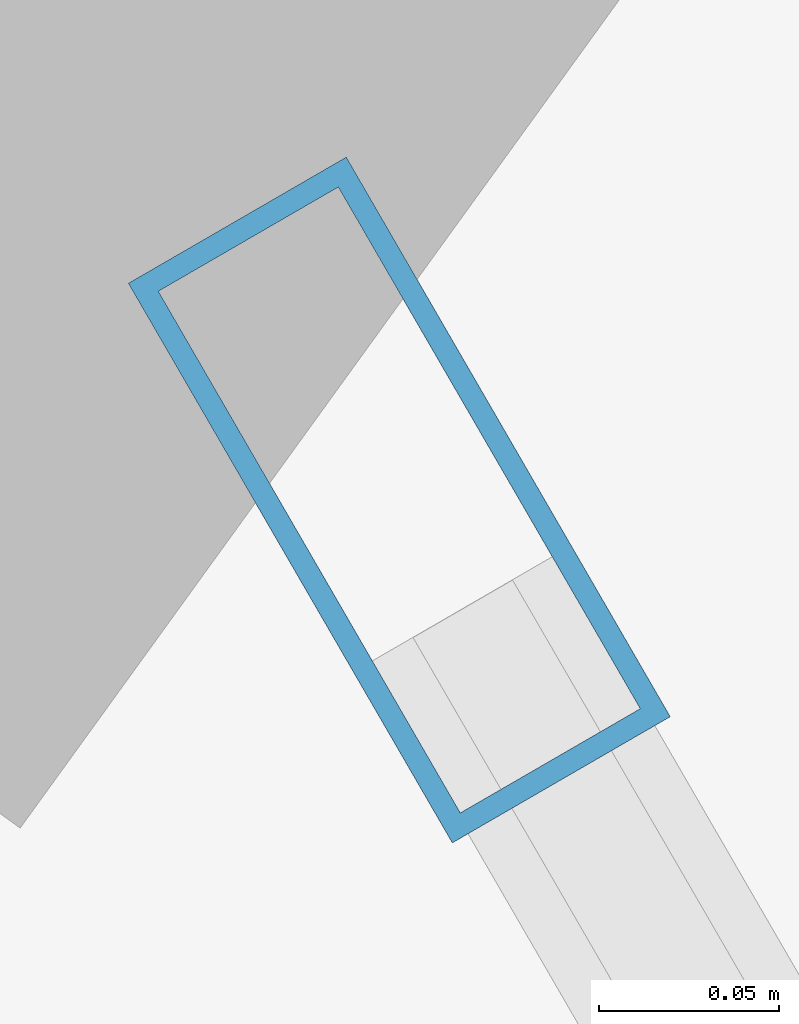
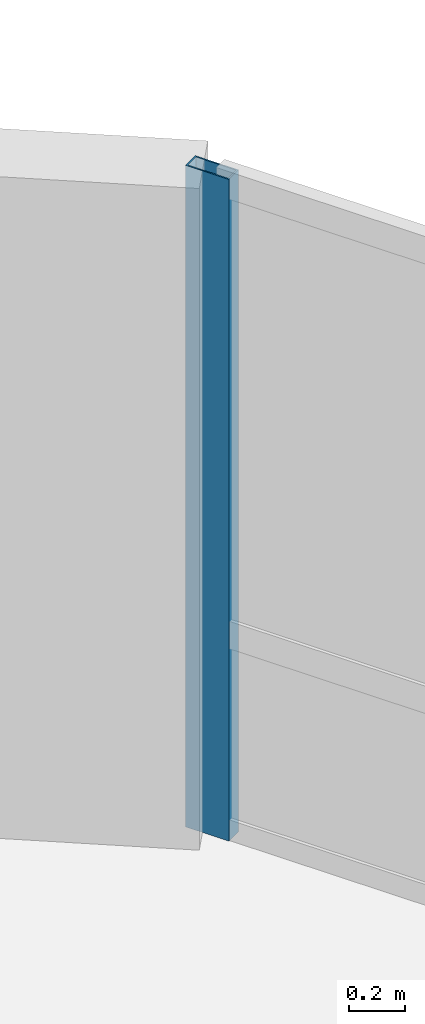
# One storey, part 8 of 15: 1 member, 1 element without a shape of its own.
"""IFC4 building model written with IfcOpenShell, lengths in metres."""

import ifcopenshell
import ifcopenshell.guid

model = None  # the IFC model being written
_history = None  # IfcOwnerHistory: only IFC2X3 demands one
_inside = {}  # id of a spatial element -> (the spatial element, [elements in it])
_under = {}  # id of a project, library or spatial element -> (it, [spatial elements below it])
_declared = {}  # id of a project -> (the project, [libraries it declares])
_typed = {}  # id of a type object -> (the type object, [elements of that type])
_made_of = {}  # id of a material, layer set ... -> (it, [elements and type objects made of it])


def new_model(schema):
    """Start an empty IFC model of exactly this schema.

    Asked for "IFC4X3", IfcOpenShell would pick the latest addendum, in which some entities
    have other attributes; the version numbers below select the first issue.
    IFC2X3 requires an IfcOwnerHistory on every rooted entity: one is made here for all.
    """
    global model, _history
    if schema == "IFC4X3":
        model = ifcopenshell.file(schema_version=(4, 3, 0, 0))
    else:
        model = ifcopenshell.file(schema=schema)
    _inside.clear()
    _under.clear()
    _declared.clear()
    _typed.clear()
    _made_of.clear()
    _history = None
    if model.schema == "IFC2X3":
        org = make("IfcOrganization", Name="unknown")
        user = make(
            "IfcPersonAndOrganization",
            ThePerson=make("IfcPerson", FamilyName="unknown"),
            TheOrganization=org,
        )
        app = make(
            "IfcApplication",
            ApplicationDeveloper=org,
            Version="unknown",
            ApplicationFullName="unknown",
            ApplicationIdentifier="unknown",
        )
        _history = make(
            "IfcOwnerHistory",
            OwningUser=user,
            OwningApplication=app,
            ChangeAction="ADDED",
            CreationDate=0,
        )
    return model


def make(cls, **values):
    """One entity of the class cls with the attributes given. An attribute that is None is left unset."""
    return model.create_entity(
        cls, **{name: value for name, value in values.items() if value is not None}
    )


def rooted(cls, **values):
    """An entity with a GlobalId (a new one), such as an element, a storey or a relation."""
    return make(cls, GlobalId=ifcopenshell.guid.new(), OwnerHistory=_history, **values)


def si_unit(unit_type, name, prefix=None):
    """IfcSIUnit, for example si_unit("LENGTHUNIT", "METRE", prefix="MILLI")."""
    return make("IfcSIUnit", UnitType=unit_type, Prefix=prefix, Name=name)


def assignment(units):
    """IfcUnitAssignment: the units of a project."""
    return None if units is None else make("IfcUnitAssignment", Units=units)


def point(xyz):
    """IfcCartesianPoint."""
    return None if xyz is None else make("IfcCartesianPoint", Coordinates=xyz)


def direction(xyz):
    """IfcDirection."""
    return None if xyz is None else make("IfcDirection", DirectionRatios=xyz)


def frame(location, z_axis=None, x_axis=None):
    """IfcAxis2Placement3D, a coordinate frame: its origin and axes. An axis left out is left unset."""
    return make(
        "IfcAxis2Placement3D",
        Location=point(location),
        Axis=direction(z_axis),
        RefDirection=direction(x_axis),
    )


def frame_2d(location, x_axis=None):
    """IfcAxis2Placement2D, a coordinate frame in the plane: its origin and x axis."""
    return make(
        "IfcAxis2Placement2D", Location=point(location), RefDirection=direction(x_axis)
    )


def origin():
    """The frame at (0, 0, 0) with its axes left unset."""
    return frame((0.0, 0.0, 0.0))


def origin_2d():
    """The frame at (0, 0) in the plane with its x axis left unset."""
    return frame_2d((0.0, 0.0))


def place(relative_to, where):
    """IfcLocalPlacement: puts the frame where relative to a parent placement (None: the world)."""
    return make(
        "IfcLocalPlacement", PlacementRelTo=relative_to, RelativePlacement=where
    )


def context(
    kind, dimensions, precision=None, world=None, true_north=None, identifier=None
):
    """IfcGeometricRepresentationContext, for example the 3D "Model" context."""
    return make(
        "IfcGeometricRepresentationContext",
        ContextIdentifier=identifier,
        ContextType=kind,
        CoordinateSpaceDimension=dimensions,
        Precision=precision,
        WorldCoordinateSystem=world,
        TrueNorth=true_north,
    )


def subcontext(parent, identifier, kind, view, scale=None):
    """IfcGeometricRepresentationSubContext, for example "Body" below "Model"."""
    return make(
        "IfcGeometricRepresentationSubContext",
        ContextIdentifier=identifier,
        ContextType=kind,
        ParentContext=parent,
        TargetScale=scale,
        TargetView=view,
    )


def project(units=None, contexts=None):
    """IfcProject with its units and contexts."""
    return rooted(
        "IfcProject",
        Name="project",
        RepresentationContexts=contexts,
        UnitsInContext=assignment(units),
    )


def spatial(cls, under=None, at=None, **own):
    """A site, building, storey or space (cls), placed at a placement, below another one or the project."""
    s = rooted(cls, ObjectPlacement=at, **own)
    if under is not None:
        _under.setdefault(under.id(), (under, []))[1].append(s)
    return s


def profile(cls, at=None, kind="AREA", **sizes):
    """A parametric profile (cls). Its sizes go by their IFC names, for example OverallWidth=200.0."""
    return make(cls, ProfileType=kind, Position=at, **sizes)


def hollow_rectangle(**sizes):
    """IfcRectangleHollowProfileDef."""
    return profile("IfcRectangleHollowProfileDef", **sizes)


def extrude(swept, where, along, depth):
    """IfcExtrudedAreaSolid: the profile swept, set in the frame where, extruded along a direction by depth."""
    return make(
        "IfcExtrudedAreaSolid",
        SweptArea=swept,
        Position=where,
        ExtrudedDirection=direction(along),
        Depth=depth,
    )


def shape(context_of_items, identifier, shape_type, items):
    """IfcShapeRepresentation: the items that make up one representation, for example the "Body"."""
    return make(
        "IfcShapeRepresentation",
        ContextOfItems=context_of_items,
        RepresentationIdentifier=identifier,
        RepresentationType=shape_type,
        Items=items,
    )


def material(Name=None, Category=None):
    """IfcMaterial."""
    return make("IfcMaterial", Name=Name, Category=Category)


def layer(
    of_material, thickness, ventilated=None, Name=None, Category=None, Priority=None
):
    """IfcMaterialLayer: one layer of a wall or slab, of a material (None: an air gap)."""
    return make(
        "IfcMaterialLayer",
        Material=of_material,
        LayerThickness=thickness,
        IsVentilated=ventilated,
        Name=Name,
        Category=Category,
        Priority=Priority,
    )


def layer_set(layers, Name=None):
    """IfcMaterialLayerSet."""
    return make("IfcMaterialLayerSet", MaterialLayers=layers, LayerSetName=Name)


def material_profile(
    of_material, cross_section, Name=None, Category=None, Priority=None
):
    """IfcMaterialProfile: a cross section and its material."""
    return make(
        "IfcMaterialProfile",
        Name=Name,
        Material=of_material,
        Profile=cross_section,
        Priority=Priority,
        Category=Category,
    )


def profile_set(profiles, Name=None, composite=None):
    """IfcMaterialProfileSet."""
    return make(
        "IfcMaterialProfileSet",
        Name=Name,
        MaterialProfiles=profiles,
        CompositeProfile=composite,
    )


def made_of(thing, what):
    """Note that an element or type object is made of a material, layer set ...; save() writes the relation."""
    if what is not None:
        _made_of.setdefault(what.id(), (what, []))[1].append(thing)
    return thing


def type_object(cls, material=None, **own):
    """A type object (cls), such as IfcWallType, which elements share."""
    return made_of(rooted(cls, **own), material)


def element(
    cls,
    number,
    at=None,
    inside=None,
    cuts=None,
    type_object=None,
    material=None,
    context=None,
    identifier="Body",
    shape_type=None,
    held_by="IfcProductDefinitionShape",
    body=None,
    shapes=None,
    **own,
):
    """One element of the class cls, such as IfcWall. Its Tag is "e" and its number.

    at: its placement. inside: the storey or other place that contains it. cuts: it is an
    opening in that element (IfcRelVoidsElement). A single representation is given by context,
    identifier, shape_type and body (its items); several are given by shapes. held_by: the class
    of the entity that holds the representations. save() writes the other relations.
    """
    e = rooted(cls, Tag="e%d" % number, ObjectPlacement=at, **own)
    if body is not None:
        shapes = [shape(context, identifier, shape_type, body)]
    if shapes is not None:
        e.Representation = make(held_by, Representations=shapes)
    if inside is not None:
        _inside.setdefault(inside.id(), (inside, []))[1].append(e)
    if cuts is not None:
        rooted(
            "IfcRelVoidsElement", RelatingBuildingElement=cuts, RelatedOpeningElement=e
        )
    if type_object is not None:
        _typed.setdefault(type_object.id(), (type_object, []))[1].append(e)
    return made_of(e, material)


def aggregate(whole, parts):
    """IfcRelAggregates: a whole, such as a stair, and the parts it consists of."""
    return rooted("IfcRelAggregates", RelatingObject=whole, RelatedObjects=parts)


def save(model, path):
    """Write the relations noted so far, then the file.

    IfcRelAggregates (storeys below a building ...), IfcRelContainedInSpatialStructure (elements
    in a storey), IfcRelDefinesByType, IfcRelAssociatesMaterial and IfcRelDeclares: one each for
    every whole, place, type object, material and project.
    """
    for whole, parts in _under.values():
        aggregate(whole, parts)
    for where, things in _inside.values():
        rooted(
            "IfcRelContainedInSpatialStructure",
            RelatedElements=things,
            RelatingStructure=where,
        )
    for kind, things in _typed.values():
        rooted("IfcRelDefinesByType", RelatedObjects=things, RelatingType=kind)
    for what, things in _made_of.values():
        rooted("IfcRelAssociatesMaterial", RelatedObjects=things, RelatingMaterial=what)
    for by, libraries in _declared.values():
        rooted("IfcRelDeclares", RelatingContext=by, RelatedDefinitions=libraries)
    model.write(path)


model = new_model("IFC4")

# Units and contexts
model_context = context("Model", 3, precision=1e-05, world=origin(), true_north=direction((0.0, 1.0)))
body_context = subcontext(model_context, "Body", "Model", "MODEL_VIEW")
ifc_project = project(units=[si_unit("LENGTHUNIT", "METRE"), si_unit("AREAUNIT", "SQUARE_METRE"), si_unit("VOLUMEUNIT", "CUBIC_METRE"), si_unit("PLANEANGLEUNIT", "RADIAN"), si_unit("MASSUNIT", "GRAM", prefix="KILO"), si_unit("THERMODYNAMICTEMPERATUREUNIT", "KELVIN"), si_unit("POWERUNIT", "WATT")], contexts=[model_context])

# Site, building, storey
site_placement = place(None, origin())
site = spatial("IfcSite", under=ifc_project, at=site_placement, CompositionType="ELEMENT")
building_placement = place(site_placement, origin())
building = spatial("IfcBuilding", under=site, at=building_placement, Name="Ocrelia Relay Tower", CompositionType="ELEMENT")
storey_placement = place(building_placement, frame((0.0, 0.0, 105.800048828125)))
storey = spatial("IfcBuildingStorey", under=building, at=storey_placement, Name="L24", CompositionType="ELEMENT", Elevation=105.800048828125)

# Curtain wall, member
ifc_material_1 = material(Name="Aluminium and solar-control low-E glass", Category="aluminium")
ifc_layer = layer(ifc_material_1, 0.179931640625, Name="Aluminium and solar-control low-E glass")
ifc_layer_set = layer_set([ifc_layer], Name="Aluminium and solar-control low-E glass")
curtain_wall_type = type_object("IfcCurtainWallType", Name="CW-SYS-Z2-SWIT", PredefinedType="NOTDEFINED", material=ifc_layer_set)
curtain_wall_placement = place(storey_placement, origin())
curtain_wall = element("IfcCurtainWall", 1, at=curtain_wall_placement, inside=storey, type_object=curtain_wall_type, Name="L24 Elliptical Tower Curtain Wall Bay 01", PredefinedType="NOTDEFINED")
ifc_material_2 = material(Name="Anodised bronze aluminium", Category="aluminium")
ifc_material_profile = material_profile(ifc_material_2, hollow_rectangle(XDim=0.070068359375, YDim=0.179931640625, WallThickness=0.006103515625, at=origin_2d()), Name="CW-MUL-180x70")
ifc_profile_set = profile_set([ifc_material_profile], Name="Anodised bronze aluminium")
member_type = type_object("IfcMemberType", Name="CW-SYS-Z2-SWIT-MUL", PredefinedType="MULLION", material=ifc_profile_set)
member_placement = place(storey_placement, frame((55.0390625, 39.450439453125, 0.0), z_axis=(0.0, 0.0, 1.0), x_axis=(-0.865422967919, -0.501042000832, 0.0)))
member = element("IfcMember", 2, at=member_placement, type_object=member_type, Name="CW-Z2 mullion 3", PredefinedType="MULLION", context=body_context, shape_type="SweptSolid", body=[
    extrude(hollow_rectangle(XDim=0.070068359375, YDim=0.179931640625, WallThickness=0.006103515625, at=origin_2d()), origin(), (0.0, 0.0, 1.0), 2.89990234375),
])
aggregate(curtain_wall, [member])

save(model, "model.ifc")
